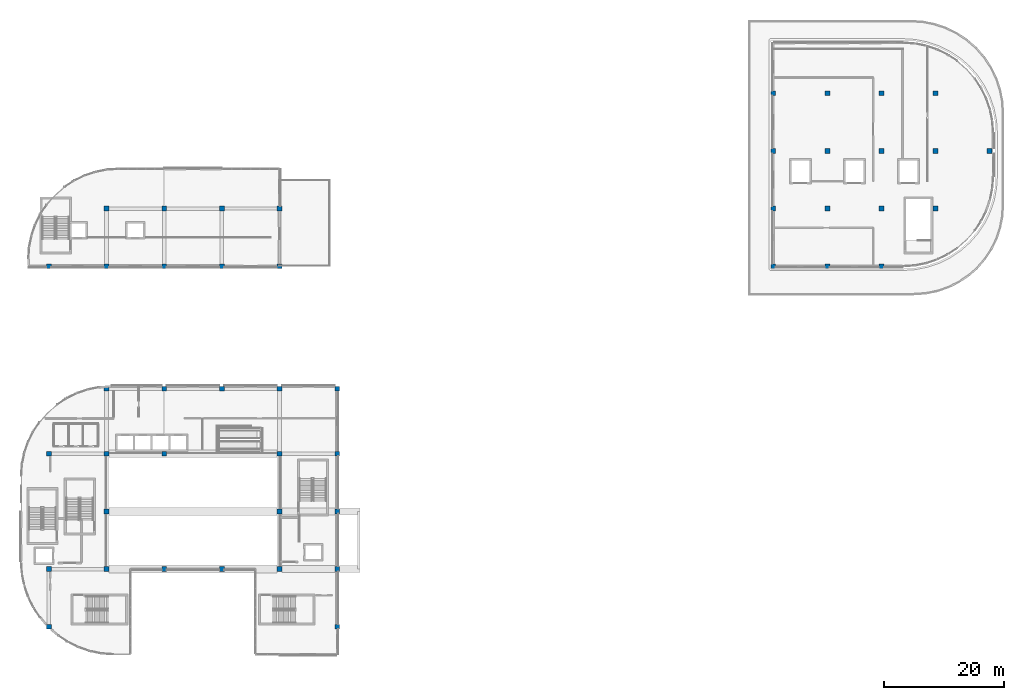
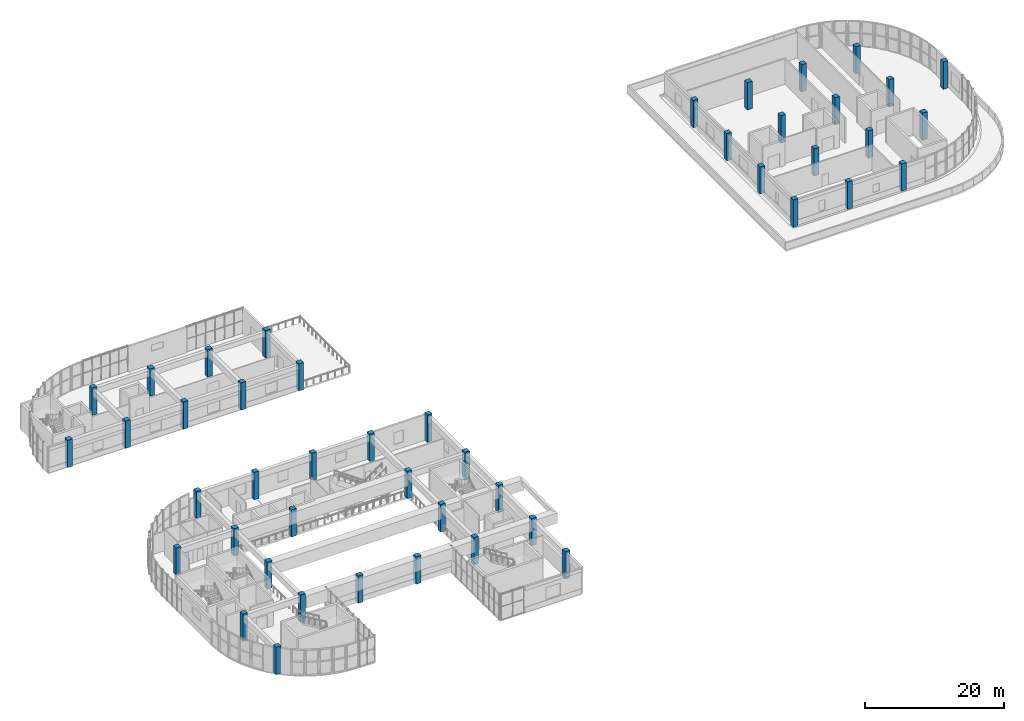
# One storey, part 1 of 33: 46 columns.
"""IFC4 building model written with IfcOpenShell, lengths in metres."""

from ifc_helpers import new_model, si_unit, direction, frame, origin, origin_2d, place, context, subcontext, project, spatial, rectangle, extrude, material, material_profile, profile_set, type_object, element, save


model = new_model("IFC4")

# Units and contexts
model_context = context("Model", 3, precision=1e-05, world=origin(), true_north=direction((0.0, 1.0)))
body_context = subcontext(model_context, "Body", "Model", "MODEL_VIEW")
ifc_project = project(units=[si_unit("LENGTHUNIT", "METRE"), si_unit("AREAUNIT", "SQUARE_METRE"), si_unit("VOLUMEUNIT", "CUBIC_METRE"), si_unit("PLANEANGLEUNIT", "RADIAN"), si_unit("MASSUNIT", "GRAM", prefix="KILO")], contexts=[model_context])

# Site, building, storey
site_placement = place(None, origin())
site = spatial("IfcSite", under=ifc_project, at=site_placement, CompositionType="ELEMENT")
building_placement = place(site_placement, origin())
building = spatial("IfcBuilding", under=site, at=building_placement, Name="Cendralis Terraced Arcade", CompositionType="ELEMENT")
storey_placement = place(building_placement, frame((0.0, 0.0, 19.800048828125)))
storey = spatial("IfcBuildingStorey", under=building, at=storey_placement, Name="L04", CompositionType="ELEMENT", Elevation=19.800048828125)

# Columns
ifc_material = material(Name="Concrete f'c 42 MPa", Category="concrete")
ifc_material_profile = material_profile(ifc_material, rectangle(XDim=0.800048828125, YDim=0.800048828125, at=origin_2d()), Name="RC-COL-800x800", Category="LoadBearing")
ifc_profile_set = profile_set([ifc_material_profile], Name="Concrete f'c 42 MPa")
column_type = type_object("IfcColumnType", Name="COL-800", PredefinedType="COLUMN", material=ifc_profile_set)
for number, where, z_axis, x_axis, name in (
    (1, (130.199951171875, 69.60009765625, 0.0), (0.0, 0.0, 1.0), (1.0, 0.0, 0.0), "Reinforced Concrete Column 15-H (L04)"),
    (2, (130.199951171875, 79.199951171875, 0.0), (0.0, 0.0, 1.0), (1.0, 0.0, 0.0), "Reinforced Concrete Column 15-J (L04)"),
    (3, (130.199951171875, 88.800048828125, 0.0), (0.0, 0.0, 1.0), (1.0, 0.0, 0.0), "Reinforced Concrete Column 15-K (L04)"),
    (4, (130.199951171875, 98.39990234375, 0.0), (0.0, 0.0, 1.0), (1.0, 0.0, 0.0), "Reinforced Concrete Column 15-L (L04)"),
    (5, (139.199951171875, 69.60009765625, 0.0), (0.0, 0.0, 1.0), (1.0, 0.0, 0.0), "Reinforced Concrete Column 16-H (L04)"),
    (6, (139.199951171875, 79.199951171875, 0.0), (0.0, 0.0, 1.0), (1.0, 0.0, 0.0), "Reinforced Concrete Column 16-J (L04)"),
    (7, (139.199951171875, 88.800048828125, 0.0), (0.0, 0.0, 1.0), (1.0, 0.0, 0.0), "Reinforced Concrete Column 16-K (L04)"),
    (8, (139.199951171875, 98.39990234375, 0.0), (0.0, 0.0, 1.0), (1.0, 0.0, 0.0), "Reinforced Concrete Column 16-L (L04)"),
    (9, (148.199951171875, 69.60009765625, 0.0), (0.0, 0.0, 1.0), (1.0, 0.0, 0.0), "Reinforced Concrete Column 17-H (L04)"),
    (10, (148.199951171875, 79.199951171875, 0.0), (0.0, 0.0, 1.0), (1.0, 0.0, 0.0), "Reinforced Concrete Column 17-J (L04)"),
    (11, (148.199951171875, 88.800048828125, 0.0), (0.0, 0.0, 1.0), (1.0, 0.0, 0.0), "Reinforced Concrete Column 17-K (L04)"),
    (12, (148.199951171875, 98.39990234375, 0.0), (0.0, 0.0, 1.0), (1.0, 0.0, 0.0), "Reinforced Concrete Column 17-L (L04)"),
    (13, (157.199951171875, 79.199951171875, 0.0), (0.0, 0.0, 1.0), (1.0, 0.0, 0.0), "Reinforced Concrete Column 18-J (L04)"),
    (14, (157.199951171875, 88.800048828125, 0.0), (0.0, 0.0, 1.0), (1.0, 0.0, 0.0), "Reinforced Concrete Column 18-K (L04)"),
    (15, (157.199951171875, 98.39990234375, 0.0), (0.0, 0.0, 1.0), (1.0, 0.0, 0.0), "Reinforced Concrete Column 18-L (L04)"),
    (16, (166.199951171875, 88.800048828125, 0.0), (0.0, 0.0, 1.0), (1.0, 0.0, 0.0), "Reinforced Concrete Column 19-K (L04)"),
    (17, (9.60009765625, 9.60009765625, 0.0), (0.0, 0.0, 1.0), (1.0, 0.0, 0.0), "Reinforced Concrete Column 2-B (L04)"),
    (18, (9.60009765625, 19.199951171875, 0.0), (0.0, 0.0, 1.0), (1.0, 0.0, 0.0), "Reinforced Concrete Column 2-C (L04)"),
    (19, (9.60009765625, 38.39990234375, 0.0), (0.0, 0.0, 1.0), (1.0, 0.0, 0.0), "Reinforced Concrete Column 2-E (L04)"),
    (20, (9.60009765625, 69.60009765625, 0.0), (0.0, 0.0, 1.0), (1.0, 0.0, 0.0), "Reinforced Concrete Column 2-H (L04)"),
    (21, (19.199951171875, 19.199951171875, 0.0), (0.0, 0.0, 1.0), (1.0, 0.0, 0.0), "Reinforced Concrete Column 3-C (L04)"),
    (22, (19.199951171875, 28.800048828125, 0.0), (0.0, 0.0, 1.0), (1.0, 0.0, 0.0), "Reinforced Concrete Column 3-D (L04)"),
    (23, (19.199951171875, 38.39990234375, 0.0), (0.0, 0.0, 1.0), (1.0, 0.0, 0.0), "Reinforced Concrete Column 3-E (L04)"),
    (24, (19.199951171875, 49.199951171875, 0.0), (0.0, 0.0, 1.0), (1.0, 0.0, 0.0), "Reinforced Concrete Column 3-F (L04)"),
    (25, (19.199951171875, 69.60009765625, 0.0), (0.0, 0.0, 1.0), (1.0, 0.0, 0.0), "Reinforced Concrete Column 3-H (L04)"),
    (26, (19.199951171875, 79.199951171875, 0.0), (0.0, 0.0, 1.0), (1.0, 0.0, 0.0), "Reinforced Concrete Column 3-J (L04)"),
    (27, (28.800048828125, 19.199951171875, 0.0), (0.0, 0.0, 1.0), (1.0, 0.0, 0.0), "Reinforced Concrete Column 4-C (L04)"),
    (28, (28.800048828125, 38.39990234375, 0.0), (0.0, 0.0, 1.0), (1.0, 0.0, 0.0), "Reinforced Concrete Column 4-E (L04)"),
    (29, (28.800048828125, 49.199951171875, 0.0), (0.0, 0.0, 1.0), (1.0, 0.0, 0.0), "Reinforced Concrete Column 4-F (L04)"),
    (30, (28.800048828125, 69.60009765625, 0.0), (0.0, 0.0, 1.0), (1.0, 0.0, 0.0), "Reinforced Concrete Column 4-H (L04)"),
    (31, (28.800048828125, 79.199951171875, 0.0), (0.0, 0.0, 1.0), (1.0, 0.0, 0.0), "Reinforced Concrete Column 4-J (L04)"),
    (32, (38.39990234375, 19.199951171875, 0.0), (0.0, 0.0, 1.0), (1.0, 0.0, 0.0), "Reinforced Concrete Column 5-C (L04)"),
    (33, (38.39990234375, 49.199951171875, 0.0), (0.0, 0.0, 1.0), (1.0, 0.0, 0.0), "Reinforced Concrete Column 5-F (L04)"),
    (34, (38.39990234375, 69.60009765625, 0.0), (0.0, 0.0, 1.0), (1.0, 0.0, 0.0), "Reinforced Concrete Column 5-H (L04)"),
    (35, (38.39990234375, 79.199951171875, 0.0), (0.0, 0.0, 1.0), (1.0, 0.0, 0.0), "Reinforced Concrete Column 5-J (L04)"),
    (36, (48.0, 19.199951171875, 0.0), (0.0, 0.0, 1.0), (1.0, 0.0, 0.0), "Reinforced Concrete Column 6-C (L04)"),
    (37, (48.0, 28.800048828125, 0.0), (0.0, 0.0, 1.0), (1.0, 0.0, 0.0), "Reinforced Concrete Column 6-D (L04)"),
    (38, (48.0, 38.39990234375, 0.0), (0.0, 0.0, 1.0), (1.0, 0.0, 0.0), "Reinforced Concrete Column 6-E (L04)"),
    (39, (48.0, 49.199951171875, 0.0), (0.0, 0.0, 1.0), (1.0, 0.0, 0.0), "Reinforced Concrete Column 6-F (L04)"),
    (40, (48.0, 69.60009765625, 0.0), (0.0, 0.0, 1.0), (1.0, 0.0, 0.0), "Reinforced Concrete Column 6-H (L04)"),
    (41, (48.0, 79.199951171875, 0.0), (0.0, 0.0, 1.0), (1.0, 0.0, 0.0), "Reinforced Concrete Column 6-J (L04)"),
    (42, (57.60009765625, 9.60009765625, 0.0), (0.0, 0.0, 1.0), (1.0, 0.0, 0.0), "Reinforced Concrete Column 7-B (L04)"),
    (43, (57.60009765625, 19.199951171875, 0.0), (0.0, 0.0, 1.0), (1.0, 0.0, 0.0), "Reinforced Concrete Column 7-C (L04)"),
    (44, (57.60009765625, 28.800048828125, 0.0), (0.0, 0.0, 1.0), (1.0, 0.0, 0.0), "Reinforced Concrete Column 7-D (L04)"),
    (45, (57.60009765625, 38.39990234375, 0.0), (0.0, 0.0, 1.0), (1.0, 0.0, 0.0), "Reinforced Concrete Column 7-E (L04)"),
    (46, (57.60009765625, 49.199951171875, 0.0), (0.0, 0.0, 1.0), (1.0, 0.0, 0.0), "Reinforced Concrete Column 7-F (L04)"),
):
    element("IfcColumn", number, at=place(storey_placement, frame(where, z_axis=z_axis, x_axis=x_axis)), inside=storey, type_object=column_type, Name=name, PredefinedType="COLUMN", context=body_context, shape_type="SweptSolid", body=[
        extrude(rectangle(XDim=0.800048828125, YDim=0.800048828125, at=origin_2d()), origin(), (0.0, 0.0, 1.0), 4.800048828125),
    ])

save(model, "model.ifc")
